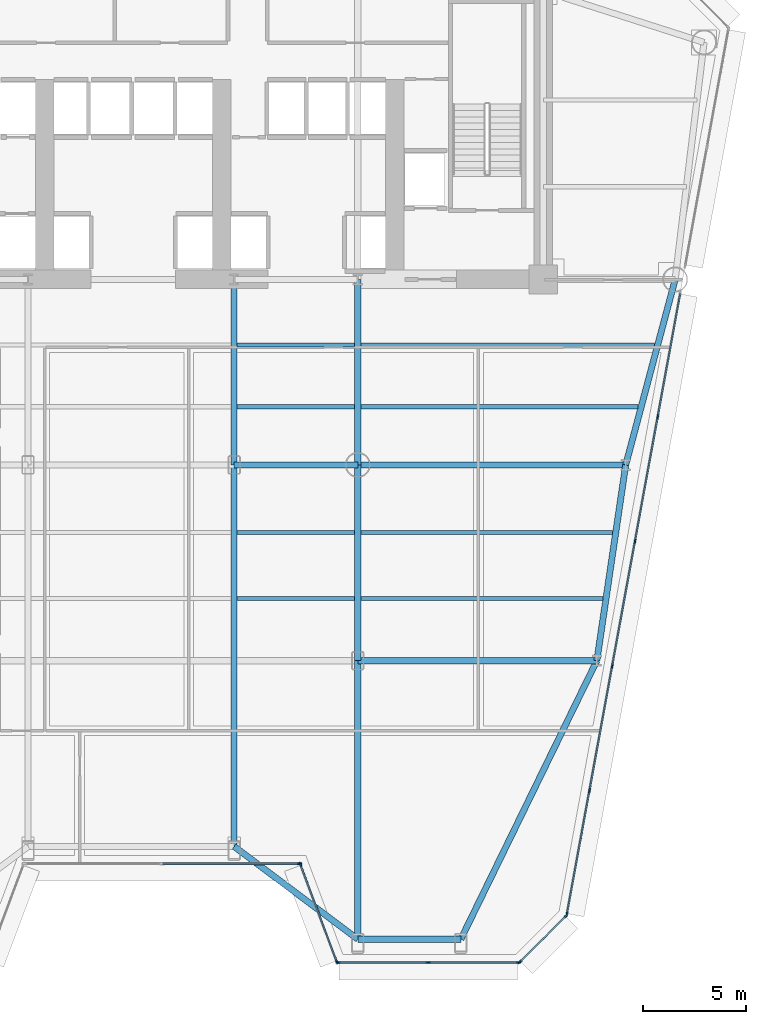
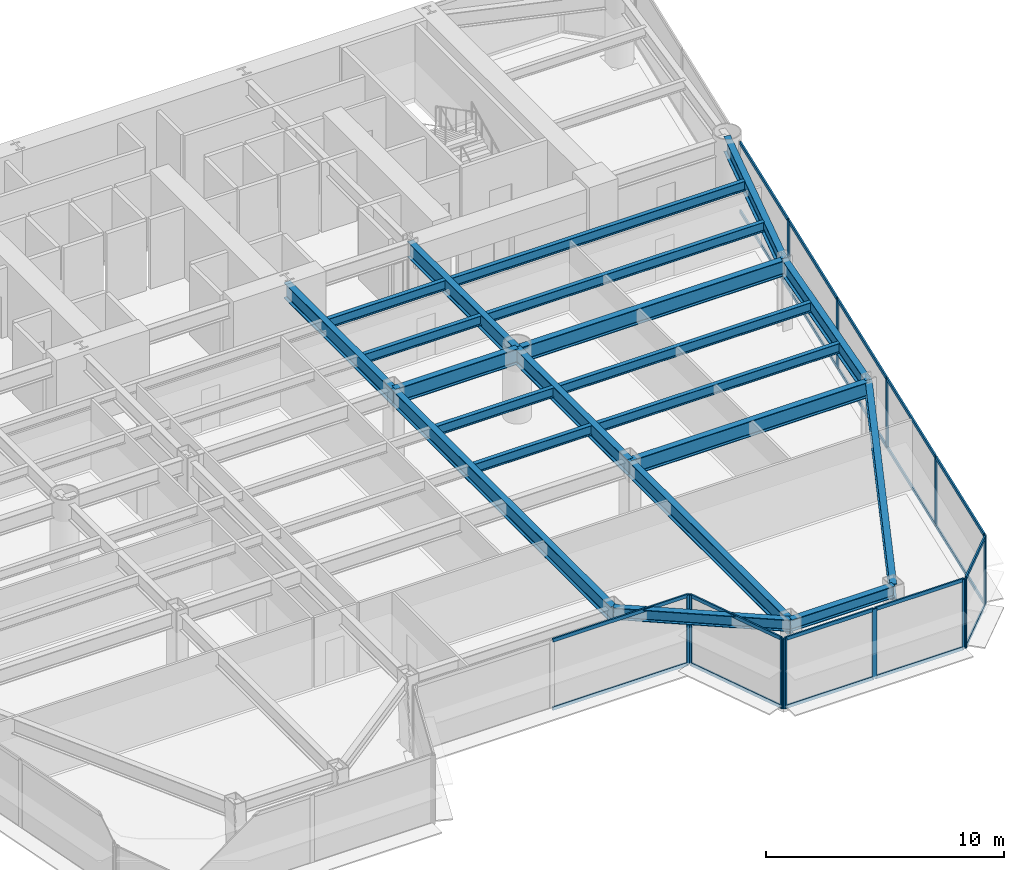
# One storey, part 4 of 14: 33 members, 21 beams, 5 elements without a shape of their own.
"""IFC4 building model written with IfcOpenShell, lengths in metres."""

from ifc_helpers import new_model, si_unit, direction, frame, origin, origin_2d, place, context, subcontext, project, spatial, rectangle, i_section, extrude, source, transform, mapped, material, layer, layer_set, material_profile, profile_set, type_object, element, aggregate, save


model = new_model("IFC4")

# Units and contexts
model_context = context("Model", 3, precision=1e-05, world=origin(), true_north=direction((0.0, 1.0)))
body_context = subcontext(model_context, "Body", "Model", "MODEL_VIEW")
ifc_project = project(units=[si_unit("LENGTHUNIT", "METRE"), si_unit("AREAUNIT", "SQUARE_METRE"), si_unit("VOLUMEUNIT", "CUBIC_METRE"), si_unit("PLANEANGLEUNIT", "RADIAN"), si_unit("MASSUNIT", "GRAM", prefix="KILO")], contexts=[model_context])

# Site, building, storey
site_placement = place(None, origin())
site = spatial("IfcSite", under=ifc_project, at=site_placement, CompositionType="ELEMENT")
building_placement = place(site_placement, origin())
building = spatial("IfcBuilding", under=site, at=building_placement, Name="Vaeldorn Concourse Tower", CompositionType="ELEMENT")
storey_placement = place(building_placement, frame((0.0, 0.0, 72.0)))
storey = spatial("IfcBuildingStorey", under=building, at=storey_placement, Name="L18", CompositionType="ELEMENT", Elevation=72.0)

# Beams
ifc_material_1 = material(Name="Steel S355", Category="steel")
ifc_material_profile_1 = material_profile(ifc_material_1, i_section(OverallWidth=0.300048828125, OverallDepth=0.800048828125, WebThickness=0.017578125, FlangeThickness=0.032958984375, FilletRadius=0.030029296875, at=origin_2d()), Name="HEB 800")
ifc_profile_set_1 = profile_set([ifc_material_profile_1], Name="Steel S355")
beam_type_1 = type_object("IfcBeamType", Name="BM-PG-HEB800", PredefinedType="BEAM", material=ifc_profile_set_1)
shared_shape_1 = source(origin(), body_context, "Body", "SweptSolid", [
    extrude(i_section(OverallWidth=0.300048828125, OverallDepth=0.800048828125, WebThickness=0.017578125, FlangeThickness=0.032958984375, FilletRadius=0.030029296875, at=origin_2d()), origin(), (0.0, 0.0, 1.0), 6.0),
])
beam_1_placement = place(storey_placement, frame((39.0, 27.5, 3.179931640625), z_axis=(1.0, 0.0, 0.0), x_axis=(0.0, 1.0, 0.0)))
element("IfcBeam", 1, at=beam_1_placement, inside=storey, type_object=beam_type_1, Name="Beam BM-L18-C-TW3-C-TW4", PredefinedType="BEAM", context=body_context, shape_type="MappedRepresentation", body=[
    mapped(shared_shape_1, transform((0.0, 0.0, 0.0), scale=1.0)),
])
shared_shape_2 = source(origin(), body_context, "Body", "SweptSolid", [
    extrude(i_section(OverallWidth=0.300048828125, OverallDepth=0.800048828125, WebThickness=0.017578125, FlangeThickness=0.032958984375, FilletRadius=0.030029296875, at=origin_2d()), origin(), (0.0, 0.0, 1.0), 9.0),
])
for number, where, z_axis, x_axis, name in (
    (2, (39.0, 27.5, 3.179931640625), (0.0, 1.0, 0.0), (-1.0, 0.0, 0.0), "Beam BM-L18-C-TW3-C-FC4"),
    (3, (45.0, 27.5, 3.179931640625), (0.0, 1.0, 0.0), (-1.0, 0.0, 0.0), "Beam BM-L18-C-TW4-C-FC5"),
):
    element("IfcBeam", number, at=place(storey_placement, frame(where, z_axis=z_axis, x_axis=x_axis)), inside=storey, type_object=beam_type_1, Name=name, PredefinedType="BEAM", context=body_context, shape_type="MappedRepresentation", body=[
        mapped(shared_shape_2, transform((0.0, 0.0, 0.0), scale=1.0)),
    ])
shared_shape_3 = source(origin(), body_context, "Body", "SweptSolid", [
    extrude(i_section(OverallWidth=0.300048828125, OverallDepth=0.800048828125, WebThickness=0.017578125, FlangeThickness=0.032958984375, FilletRadius=0.030029296875, at=origin_2d()), origin(), (0.0, 0.0, 1.0), 9.314453125),
])
beam_2_placement = place(storey_placement, frame((60.39990234375, 36.5, 3.179931640625), z_axis=(-0.257652862255, -0.966237549763, 0.0), x_axis=(0.966237549763, -0.257652862255, 0.0)))
element("IfcBeam", 4, at=beam_2_placement, inside=storey, type_object=beam_type_1, Name="Beam BM-L18-C-NE2-C-FLE1", PredefinedType="BEAM", context=body_context, shape_type="MappedRepresentation", body=[
    mapped(shared_shape_3, transform((0.0, 0.0, 0.0), scale=1.0)),
])
shared_shape_4 = source(origin(), body_context, "Body", "SweptSolid", [
    extrude(i_section(OverallWidth=0.300048828125, OverallDepth=0.800048828125, WebThickness=0.017578125, FlangeThickness=0.032958984375, FilletRadius=0.030029296875, at=origin_2d()), origin(), (0.0, 0.0, 1.0), 13.0),
])
beam_3_placement = place(storey_placement, frame((45.0, 27.5, 3.179931640625), z_axis=(1.0, 0.0, 0.0), x_axis=(0.0, 1.0, 0.0)))
element("IfcBeam", 5, at=beam_3_placement, inside=storey, type_object=beam_type_1, Name="Beam BM-L18-C-TW4-C-FLE1", PredefinedType="BEAM", context=body_context, shape_type="MappedRepresentation", body=[
    mapped(shared_shape_4, transform((0.0, 0.0, 0.0), scale=1.0)),
])
ifc_material_profile_2 = material_profile(ifc_material_1, i_section(OverallWidth=0.300048828125, OverallDepth=0.60009765625, WebThickness=0.015380859375, FlangeThickness=0.030029296875, FilletRadius=0.027099609375, at=origin_2d()), Name="HEB 600")
ifc_profile_set_2 = profile_set([ifc_material_profile_2], Name="Steel S355")
beam_type_2 = type_object("IfcBeamType", Name="BM-SP-HEB600", PredefinedType="SPANDREL", material=ifc_profile_set_2)
shared_shape_5 = source(origin(), body_context, "Body", "SweptSolid", [
    extrude(i_section(OverallWidth=0.300048828125, OverallDepth=0.60009765625, WebThickness=0.015380859375, FlangeThickness=0.030029296875, FilletRadius=0.027099609375, at=origin_2d()), origin(), (0.0, 0.0, 1.0), 5.0),
])
beam_4_placement = place(storey_placement, frame((45.0, 4.486083984375, 3.280029296875), z_axis=(1.0, 0.0, 0.0), x_axis=(0.0, 1.0, 0.0)))
element("IfcBeam", 6, at=beam_4_placement, inside=storey, type_object=beam_type_2, Name="Beam BM-L18-C-SF5-C-SF6", PredefinedType="SPANDREL", context=body_context, shape_type="MappedRepresentation", body=[
    mapped(shared_shape_5, transform((0.0, 0.0, 0.0), scale=1.0)),
])
shared_shape_6 = source(origin(), body_context, "Body", "SweptSolid", [
    extrude(i_section(OverallWidth=0.300048828125, OverallDepth=0.60009765625, WebThickness=0.015380859375, FlangeThickness=0.030029296875, FilletRadius=0.027099609375, at=origin_2d()), origin(), (0.0, 0.0, 1.0), 7.5),
])
beam_5_placement = place(storey_placement, frame((39.0, 8.986083984375, 3.280029296875), z_axis=(0.8, -0.6, 0.0), x_axis=(0.6, 0.8, 0.0)))
element("IfcBeam", 7, at=beam_5_placement, inside=storey, type_object=beam_type_2, Name="Beam BM-L18-C-SF4-C-SF5", PredefinedType="SPANDREL", context=body_context, shape_type="MappedRepresentation", body=[
    mapped(shared_shape_6, transform((0.0, 0.0, 0.0), scale=1.0)),
])
shared_shape_7 = source(origin(), body_context, "Body", "SweptSolid", [
    extrude(i_section(OverallWidth=0.300048828125, OverallDepth=0.800048828125, WebThickness=0.017578125, FlangeThickness=0.032958984375, FilletRadius=0.030029296875, at=origin_2d()), origin(), (0.0, 0.0, 1.0), 9.6025390625),
])
beam_6_placement = place(storey_placement, frame((58.0, 27.5, 3.179931640625), z_axis=(-0.145783835977, -0.989316467652, 0.0), x_axis=(0.989316467652, -0.145783835977, 0.0)))
element("IfcBeam", 8, at=beam_6_placement, inside=storey, type_object=beam_type_1, Name="Beam BM-L18-C-FLE1-C-FLE2", PredefinedType="BEAM", context=body_context, shape_type="MappedRepresentation", body=[
    mapped(shared_shape_7, transform((0.0, 0.0, 0.0), scale=1.0)),
])
shared_shape_8 = source(origin(), body_context, "Body", "SweptSolid", [
    extrude(i_section(OverallWidth=0.300048828125, OverallDepth=0.800048828125, WebThickness=0.017578125, FlangeThickness=0.032958984375, FilletRadius=0.030029296875, at=origin_2d()), origin(), (0.0, 0.0, 1.0), 11.60009765625),
])
beam_7_placement = place(storey_placement, frame((45.0, 18.0, 3.179931640625), z_axis=(1.0, 0.0, 0.0), x_axis=(0.0, 1.0, 0.0)))
element("IfcBeam", 9, at=beam_7_placement, inside=storey, type_object=beam_type_1, Name="Beam BM-L18-C-TW6-C-FLE2", PredefinedType="BEAM", context=body_context, shape_type="MappedRepresentation", body=[
    mapped(shared_shape_8, transform((0.0, 0.0, 0.0), scale=1.0)),
])
shared_shape_9 = source(origin(), body_context, "Body", "SweptSolid", [
    extrude(i_section(OverallWidth=0.300048828125, OverallDepth=0.800048828125, WebThickness=0.017578125, FlangeThickness=0.032958984375, FilletRadius=0.030029296875, at=origin_2d()), origin(), (0.0, 0.0, 1.0), 9.5),
])
beam_8_placement = place(storey_placement, frame((45.0, 18.0, 3.179931640625), z_axis=(0.0, 1.0, 0.0), x_axis=(-1.0, 0.0, 0.0)))
element("IfcBeam", 10, at=beam_8_placement, inside=storey, type_object=beam_type_1, Name="Beam BM-L18-C-TW6-C-TW4", PredefinedType="BEAM", context=body_context, shape_type="MappedRepresentation", body=[
    mapped(shared_shape_9, transform((0.0, 0.0, 0.0), scale=1.0)),
])
ifc_material_profile_3 = material_profile(ifc_material_1, i_section(OverallWidth=0.199951171875, OverallDepth=0.5, WebThickness=0.01025390625, FlangeThickness=0.01611328125, FilletRadius=0.02099609375, at=origin_2d()), Name="IPE 500")
ifc_profile_set_3 = profile_set([ifc_material_profile_3], Name="Steel S355")
beam_type_3 = type_object("IfcBeamType", Name="BM-JS-IPE500", PredefinedType="JOIST", material=ifc_profile_set_3)
shared_shape_10 = source(origin(), body_context, "Body", "SweptSolid", [
    extrude(i_section(OverallWidth=0.199951171875, OverallDepth=0.5, WebThickness=0.01025390625, FlangeThickness=0.01611328125, FilletRadius=0.02099609375, at=origin_2d()), origin(), (0.0, 0.0, 1.0), 5.7001953125),
])
for number, where, z_axis, x_axis, name in (
    (11, (39.14990234375, 21.02001953125, 3.330078125), (1.0, 0.0, 0.0), (0.0, 1.0, 0.0), "Beam JS-L18-E2-210"),
    (12, (39.14990234375, 24.219970703125, 3.330078125), (1.0, 0.0, 0.0), (0.0, 1.0, 0.0), "Beam JS-L18-E2-242"),
    (13, (39.14990234375, 30.320068359375, 3.330078125), (1.0, 0.0, 0.0), (0.0, 1.0, 0.0), "Beam JS-L18-E2-303"),
    (14, (39.14990234375, 33.320068359375, 3.330078125), (1.0, 0.0, 0.0), (0.0, 1.0, 0.0), "Beam JS-L18-E2-333"),
):
    element("IfcBeam", number, at=place(storey_placement, frame(where, z_axis=z_axis, x_axis=x_axis)), inside=storey, type_object=beam_type_3, Name=name, PredefinedType="JOIST", context=body_context, shape_type="MappedRepresentation", body=[
        mapped(shared_shape_10, transform((0.0, 0.0, 0.0), scale=1.0)),
    ])
shared_shape_11 = source(origin(), body_context, "Body", "SweptSolid", [
    extrude(i_section(OverallWidth=0.300048828125, OverallDepth=0.800048828125, WebThickness=0.017578125, FlangeThickness=0.032958984375, FilletRadius=0.030029296875, at=origin_2d()), origin(), (0.0, 0.0, 1.0), 15.03955078125),
])
beam_9_placement = place(storey_placement, frame((50.0, 4.486083984375, 3.179931640625), z_axis=(0.438850234471, 0.898560221524, 0.0), x_axis=(-0.898560221524, 0.438850234471, 0.0)))
element("IfcBeam", 15, at=beam_9_placement, inside=storey, type_object=beam_type_1, Name="Beam BM-L18-C-SF6-C-FLE2", PredefinedType="BEAM", context=body_context, shape_type="MappedRepresentation", body=[
    mapped(shared_shape_11, transform((0.0, 0.0, 0.0), scale=1.0)),
])
shared_shape_12 = source(origin(), body_context, "Body", "SweptSolid", [
    extrude(i_section(OverallWidth=0.300048828125, OverallDepth=0.800048828125, WebThickness=0.017578125, FlangeThickness=0.032958984375, FilletRadius=0.030029296875, at=origin_2d()), origin(), (0.0, 0.0, 1.0), 13.513916015625),
])
beam_10_placement = place(storey_placement, frame((45.0, 4.486083984375, 3.179931640625), z_axis=(0.0, 1.0, 0.0), x_axis=(-1.0, 0.0, 0.0)))
element("IfcBeam", 16, at=beam_10_placement, inside=storey, type_object=beam_type_1, Name="Beam BM-L18-C-SF5-C-TW6", PredefinedType="BEAM", context=body_context, shape_type="MappedRepresentation", body=[
    mapped(shared_shape_12, transform((0.0, 0.0, 0.0), scale=1.0)),
])
shared_shape_13 = source(origin(), body_context, "Body", "SweptSolid", [
    extrude(i_section(OverallWidth=0.300048828125, OverallDepth=0.800048828125, WebThickness=0.017578125, FlangeThickness=0.032958984375, FilletRadius=0.030029296875, at=origin_2d()), origin(), (0.0, 0.0, 1.0), 18.513916015625),
])
beam_11_placement = place(storey_placement, frame((39.0, 8.986083984375, 3.179931640625), z_axis=(0.0, 1.0, 0.0), x_axis=(-1.0, 0.0, 0.0)))
element("IfcBeam", 17, at=beam_11_placement, inside=storey, type_object=beam_type_1, Name="Beam BM-L18-C-SF4-C-TW3", PredefinedType="BEAM", context=body_context, shape_type="MappedRepresentation", body=[
    mapped(shared_shape_13, transform((0.0, 0.0, 0.0), scale=1.0)),
])
shared_shape_14 = source(origin(), body_context, "Body", "SweptSolid", [
    extrude(i_section(OverallWidth=0.199951171875, OverallDepth=0.5, WebThickness=0.01025390625, FlangeThickness=0.01611328125, FilletRadius=0.02099609375, at=origin_2d()), origin(), (0.0, 0.0, 1.0), 11.7451171875),
])
beam_12_placement = place(storey_placement, frame((45.14990234375, 21.02001953125, 3.330078125), z_axis=(1.0, 0.0, 0.0), x_axis=(0.0, 1.0, 0.0)))
element("IfcBeam", 18, at=beam_12_placement, inside=storey, type_object=beam_type_3, Name="Beam JS-L18-E1-210", PredefinedType="JOIST", context=body_context, shape_type="MappedRepresentation", body=[
    mapped(shared_shape_14, transform((0.0, 0.0, 0.0), scale=1.0)),
])
shared_shape_15 = source(origin(), body_context, "Body", "SweptSolid", [
    extrude(i_section(OverallWidth=0.199951171875, OverallDepth=0.5, WebThickness=0.01025390625, FlangeThickness=0.01611328125, FilletRadius=0.02099609375, at=origin_2d()), origin(), (0.0, 0.0, 1.0), 12.216796875),
])
beam_13_placement = place(storey_placement, frame((45.14990234375, 24.219970703125, 3.330078125), z_axis=(1.0, 0.0, 0.0), x_axis=(0.0, 1.0, 0.0)))
element("IfcBeam", 19, at=beam_13_placement, inside=storey, type_object=beam_type_3, Name="Beam JS-L18-E1-242", PredefinedType="JOIST", context=body_context, shape_type="MappedRepresentation", body=[
    mapped(shared_shape_15, transform((0.0, 0.0, 0.0), scale=1.0)),
])
shared_shape_16 = source(origin(), body_context, "Body", "SweptSolid", [
    extrude(i_section(OverallWidth=0.199951171875, OverallDepth=0.5, WebThickness=0.01025390625, FlangeThickness=0.01611328125, FilletRadius=0.02099609375, at=origin_2d()), origin(), (0.0, 0.0, 1.0), 13.4521484375),
])
beam_14_placement = place(storey_placement, frame((45.14990234375, 30.320068359375, 3.330078125), z_axis=(1.0, 0.0, 0.0), x_axis=(0.0, 1.0, 0.0)))
element("IfcBeam", 20, at=beam_14_placement, inside=storey, type_object=beam_type_3, Name="Beam JS-L18-E1-303", PredefinedType="JOIST", context=body_context, shape_type="MappedRepresentation", body=[
    mapped(shared_shape_16, transform((0.0, 0.0, 0.0), scale=1.0)),
])
shared_shape_17 = source(origin(), body_context, "Body", "SweptSolid", [
    extrude(i_section(OverallWidth=0.199951171875, OverallDepth=0.5, WebThickness=0.01025390625, FlangeThickness=0.01611328125, FilletRadius=0.02099609375, at=origin_2d()), origin(), (0.0, 0.0, 1.0), 14.252197265625),
])
beam_15_placement = place(storey_placement, frame((45.14990234375, 33.320068359375, 3.330078125), z_axis=(1.0, 0.0, 0.0), x_axis=(0.0, 1.0, 0.0)))
element("IfcBeam", 21, at=beam_15_placement, inside=storey, type_object=beam_type_3, Name="Beam JS-L18-E1-333", PredefinedType="JOIST", context=body_context, shape_type="MappedRepresentation", body=[
    mapped(shared_shape_17, transform((0.0, 0.0, 0.0), scale=1.0)),
])

# Curtain wall, members
ifc_material_2 = material(Name="Anodised Bronze Aluminium", Category="aluminium")
ifc_layer = layer(ifc_material_2, 0.219970703125)
ifc_layer_set = layer_set([ifc_layer], Name="Anodised Bronze Aluminium")
curtain_wall_type = type_object("IfcCurtainWallType", Name="CW-SYS-01", PredefinedType="NOTDEFINED", material=ifc_layer_set)
curtain_wall_1_placement = place(storey_placement, origin())
curtain_wall_1 = element("IfcCurtainWall", 22, at=curtain_wall_1_placement, inside=storey, type_object=curtain_wall_type, Name="Unitised Curtain Wall CW-L18-E03-1", PredefinedType="NOTDEFINED")
ifc_material_profile_4 = material_profile(ifc_material_2, rectangle(XDim=0.074951171875, YDim=0.179931640625, at=origin_2d()), Name="CWT 75x180")
ifc_profile_set_4 = profile_set([ifc_material_profile_4], Name="Anodised Bronze Aluminium")
member_type_1 = type_object("IfcMemberType", Name="CWT-BRONZE-180", PredefinedType="USERDEFINED", material=ifc_profile_set_4)
shared_shape_18 = source(origin(), body_context, "Body", "SweptSolid", [
    extrude(rectangle(XDim=0.074951171875, YDim=0.179931640625, at=origin_2d()), origin(), (0.0, 0.0, 1.0), 6.58740234375),
])
member_1_placement = place(storey_placement, frame((35.53759765625, 8.147216796875, 0.03759765625), z_axis=(1.0, 0.0, 0.0), x_axis=(0.0, 1.0, 0.0)))
member_1 = element("IfcMember", 23, at=member_1_placement, type_object=member_type_1, Name="CW-01 transom 2.1", ObjectType="TRANSOM", PredefinedType="USERDEFINED", context=body_context, shape_type="MappedRepresentation", body=[
    mapped(shared_shape_18, transform((0.0, 0.0, 0.0), scale=1.0)),
])
member_2_placement = place(storey_placement, frame((35.53759765625, 8.147216796875, 3.54248046875), z_axis=(1.0, 0.0, 0.0), x_axis=(0.0, 1.0, 0.0)))
member_2 = element("IfcMember", 24, at=member_2_placement, type_object=member_type_1, Name="CW-01 transom 2.2", ObjectType="TRANSOM", PredefinedType="USERDEFINED", context=body_context, shape_type="MappedRepresentation", body=[
    mapped(shared_shape_18, transform((0.0, 0.0, 0.0), scale=1.0)),
])

curtain_wall_2_placement = place(storey_placement, origin())
curtain_wall_2 = element("IfcCurtainWall", 25, at=curtain_wall_2_placement, inside=storey, type_object=curtain_wall_type, Name="Unitised Curtain Wall CW-L18-E04-1", PredefinedType="NOTDEFINED")
shared_shape_19 = source(origin(), body_context, "Body", "SweptSolid", [
    extrude(rectangle(XDim=0.074951171875, YDim=0.179931640625, at=origin_2d()), origin(), (0.0, 0.0, 1.0), 4.9765625),
])
member_3_placement = place(storey_placement, frame((42.226318359375, 8.076904296875, 0.03759765625), z_axis=(0.351112688987, -0.936333209724, 0.0), x_axis=(0.936333209724, 0.351112688987, 0.0)))
member_3 = element("IfcMember", 26, at=member_3_placement, type_object=member_type_1, Name="CW-01 transom 1.1", ObjectType="TRANSOM", PredefinedType="USERDEFINED", context=body_context, shape_type="MappedRepresentation", body=[
    mapped(shared_shape_19, transform((0.0, 0.0, 0.0), scale=1.0)),
])
member_4_placement = place(storey_placement, frame((42.226318359375, 8.076904296875, 3.54248046875), z_axis=(0.351112688987, -0.936333209724, 0.0), x_axis=(0.936333209724, 0.351112688987, 0.0)))
member_4 = element("IfcMember", 27, at=member_4_placement, type_object=member_type_1, Name="CW-01 transom 1.2", ObjectType="TRANSOM", PredefinedType="USERDEFINED", context=body_context, shape_type="MappedRepresentation", body=[
    mapped(shared_shape_19, transform((0.0, 0.0, 0.0), scale=1.0)),
])

# Member
ifc_material_profile_5 = material_profile(ifc_material_2, rectangle(XDim=0.074951171875, YDim=0.219970703125, at=origin_2d()), Name="CWM 75x220")
ifc_profile_set_5 = profile_set([ifc_material_profile_5], Name="Anodised Bronze Aluminium")
member_type_2 = type_object("IfcMemberType", Name="CWM-BRONZE-220", PredefinedType="MULLION", material=ifc_profile_set_5)
shared_shape_20 = source(origin(), body_context, "Body", "SweptSolid", [
    extrude(rectangle(XDim=0.074951171875, YDim=0.219970703125, at=origin_2d()), origin(), (0.0, 0.0, 1.0), 3.580078125),
])
member_5_placement = place(storey_placement, frame((42.16259765625, 8.147216796875, 0.0), z_axis=(0.0, 0.0, 1.0), x_axis=(0.0, 1.0, 0.0)))
member_5 = element("IfcMember", 28, at=member_5_placement, type_object=member_type_2, Name="CW-01 mullion 3", PredefinedType="MULLION", context=body_context, shape_type="MappedRepresentation", body=[
    mapped(shared_shape_20, transform((0.0, 0.0, 0.0), scale=1.0)),
])

aggregate(curtain_wall_1, [member_5, member_1, member_2])

member_6_placement = place(storey_placement, frame((42.213134765625, 8.112060546875, 0.0), z_axis=(0.0, 0.0, 1.0), x_axis=(0.936329177566, 0.351123441595, 0.0)))
member_6 = element("IfcMember", 29, at=member_6_placement, type_object=member_type_2, Name="CW-01 mullion 1", PredefinedType="MULLION", context=body_context, shape_type="MappedRepresentation", body=[
    mapped(shared_shape_20, transform((0.0, 0.0, 0.0), scale=1.0)),
])

member_7_placement = place(storey_placement, frame((43.98681640625, 3.38232421875, 0.0), z_axis=(0.0, 0.0, 1.0), x_axis=(0.936329177566, 0.351123441595, 0.0)))
member_7 = element("IfcMember", 30, at=member_7_placement, type_object=member_type_2, Name="CW-01 mullion 2", PredefinedType="MULLION", context=body_context, shape_type="MappedRepresentation", body=[
    mapped(shared_shape_20, transform((0.0, 0.0, 0.0), scale=1.0)),
])

aggregate(curtain_wall_2, [member_6, member_7, member_3, member_4])

# Curtain wall, members
curtain_wall_3_placement = place(storey_placement, origin())
curtain_wall_3 = element("IfcCurtainWall", 31, at=curtain_wall_3_placement, inside=storey, type_object=curtain_wall_type, Name="Unitised Curtain Wall CW-L18-E05-1", PredefinedType="NOTDEFINED")
member_8_placement = place(storey_placement, frame((44.03759765625, 3.34716796875, 0.0), z_axis=(0.0, 0.0, 1.0), x_axis=(0.0, 1.0, 0.0)))
member_8 = element("IfcMember", 32, at=member_8_placement, type_object=member_type_2, Name="CW-01 mullion 1", PredefinedType="MULLION", context=body_context, shape_type="MappedRepresentation", body=[
    mapped(shared_shape_20, transform((0.0, 0.0, 0.0), scale=1.0)),
])
member_9_placement = place(storey_placement, frame((48.418701171875, 3.34716796875, 0.0), z_axis=(0.0, 0.0, 1.0), x_axis=(0.0, 1.0, 0.0)))
member_9 = element("IfcMember", 33, at=member_9_placement, type_object=member_type_2, Name="CW-01 mullion 2", PredefinedType="MULLION", context=body_context, shape_type="MappedRepresentation", body=[
    mapped(shared_shape_20, transform((0.0, 0.0, 0.0), scale=1.0)),
])
member_10_placement = place(storey_placement, frame((52.7998046875, 3.34716796875, 0.0), z_axis=(0.0, 0.0, 1.0), x_axis=(0.0, 1.0, 0.0)))
member_10 = element("IfcMember", 34, at=member_10_placement, type_object=member_type_2, Name="CW-01 mullion 3", PredefinedType="MULLION", context=body_context, shape_type="MappedRepresentation", body=[
    mapped(shared_shape_20, transform((0.0, 0.0, 0.0), scale=1.0)),
])

curtain_wall_4_placement = place(storey_placement, origin())
curtain_wall_4 = element("IfcCurtainWall", 35, at=curtain_wall_4_placement, inside=storey, type_object=curtain_wall_type, Name="Unitised Curtain Wall CW-L18-E06-1", PredefinedType="NOTDEFINED")
member_11_placement = place(storey_placement, frame((52.86376953125, 3.37353515625, 0.0), z_axis=(0.0, 0.0, 1.0), x_axis=(-0.707106781187, 0.707106781187, 0.0)))
member_11 = element("IfcMember", 36, at=member_11_placement, type_object=member_type_2, Name="CW-01 mullion 1", PredefinedType="MULLION", context=body_context, shape_type="MappedRepresentation", body=[
    mapped(shared_shape_20, transform((0.0, 0.0, 0.0), scale=1.0)),
])
member_12_placement = place(storey_placement, frame((55.11083984375, 5.62060546875, 0.0), z_axis=(0.0, 0.0, 1.0), x_axis=(-0.707106781187, 0.707106781187, 0.0)))
member_12 = element("IfcMember", 37, at=member_12_placement, type_object=member_type_2, Name="CW-01 mullion 2", PredefinedType="MULLION", context=body_context, shape_type="MappedRepresentation", body=[
    mapped(shared_shape_20, transform((0.0, 0.0, 0.0), scale=1.0)),
])

curtain_wall_5_placement = place(storey_placement, origin())
curtain_wall_5 = element("IfcCurtainWall", 38, at=curtain_wall_5_placement, inside=storey, type_object=curtain_wall_type, Name="Unitised Curtain Wall CW-L18-E07-1", PredefinedType="NOTDEFINED")
member_13_placement = place(storey_placement, frame((55.14404296875, 5.68408203125, 0.0), z_axis=(0.0, 0.0, 1.0), x_axis=(-0.983729199794, 0.179657622921, 0.0)))
member_13 = element("IfcMember", 39, at=member_13_placement, type_object=member_type_2, Name="CW-01 mullion 1", PredefinedType="MULLION", context=body_context, shape_type="MappedRepresentation", body=[
    mapped(shared_shape_20, transform((0.0, 0.0, 0.0), scale=1.0)),
])
member_14_placement = place(storey_placement, frame((56.24169921875, 11.69384765625, 0.0), z_axis=(0.0, 0.0, 1.0), x_axis=(-0.983729199794, 0.179657622921, 0.0)))
member_14 = element("IfcMember", 40, at=member_14_placement, type_object=member_type_2, Name="CW-01 mullion 2", PredefinedType="MULLION", context=body_context, shape_type="MappedRepresentation", body=[
    mapped(shared_shape_20, transform((0.0, 0.0, 0.0), scale=1.0)),
])
member_15_placement = place(storey_placement, frame((57.345947265625, 17.740478515625, 0.0), z_axis=(0.0, 0.0, 1.0), x_axis=(-0.983729199794, 0.179657622921, 0.0)))
member_15 = element("IfcMember", 41, at=member_15_placement, type_object=member_type_2, Name="CW-01 mullion 3", PredefinedType="MULLION", context=body_context, shape_type="MappedRepresentation", body=[
    mapped(shared_shape_20, transform((0.0, 0.0, 0.0), scale=1.0)),
])
member_16_placement = place(storey_placement, frame((58.4501953125, 23.787109375, 0.0), z_axis=(0.0, 0.0, 1.0), x_axis=(-0.983729199794, 0.179657622921, 0.0)))
member_16 = element("IfcMember", 42, at=member_16_placement, type_object=member_type_2, Name="CW-01 mullion 4", PredefinedType="MULLION", context=body_context, shape_type="MappedRepresentation", body=[
    mapped(shared_shape_20, transform((0.0, 0.0, 0.0), scale=1.0)),
])
member_17_placement = place(storey_placement, frame((59.554443359375, 29.833740234375, 0.0), z_axis=(0.0, 0.0, 1.0), x_axis=(-0.983729199794, 0.179657622921, 0.0)))
member_17 = element("IfcMember", 43, at=member_17_placement, type_object=member_type_2, Name="CW-01 mullion 5", PredefinedType="MULLION", context=body_context, shape_type="MappedRepresentation", body=[
    mapped(shared_shape_20, transform((0.0, 0.0, 0.0), scale=1.0)),
])

# Member
shared_shape_21 = source(origin(), body_context, "Body", "SweptSolid", [
    extrude(rectangle(XDim=0.074951171875, YDim=0.179931640625, at=origin_2d()), origin(), (0.0, 0.0, 1.0), 3.1025390625),
])
member_18_placement = place(storey_placement, frame((52.890380859375, 3.400146484375, 0.03759765625), z_axis=(0.707106781187, 0.707106781187, 0.0), x_axis=(-0.707106781187, 0.707106781187, 0.0)))
member_18 = element("IfcMember", 44, at=member_18_placement, type_object=member_type_1, Name="CW-01 transom 1.1", ObjectType="TRANSOM", PredefinedType="USERDEFINED", context=body_context, shape_type="MappedRepresentation", body=[
    mapped(shared_shape_21, transform((0.0, 0.0, 0.0), scale=1.0)),
])

member_19_placement = place(storey_placement, frame((52.890380859375, 3.400146484375, 3.54248046875), z_axis=(0.707106781187, 0.707106781187, 0.0), x_axis=(-0.707106781187, 0.707106781187, 0.0)))
member_19 = element("IfcMember", 45, at=member_19_placement, type_object=member_type_1, Name="CW-01 transom 1.2", ObjectType="TRANSOM", PredefinedType="USERDEFINED", context=body_context, shape_type="MappedRepresentation", body=[
    mapped(shared_shape_21, transform((0.0, 0.0, 0.0), scale=1.0)),
])

aggregate(curtain_wall_4, [member_11, member_12, member_18, member_19])

shared_shape_22 = source(origin(), body_context, "Body", "SweptSolid", [
    extrude(rectangle(XDim=0.074951171875, YDim=0.179931640625, at=origin_2d()), origin(), (0.0, 0.0, 1.0), 4.30615234375),
])
member_20_placement = place(storey_placement, frame((44.074951171875, 3.34716796875, 0.03759765625), z_axis=(1.0, 0.0, 0.0), x_axis=(0.0, 1.0, 0.0)))
member_20 = element("IfcMember", 46, at=member_20_placement, type_object=member_type_1, Name="CW-01 transom 1.1", ObjectType="TRANSOM", PredefinedType="USERDEFINED", context=body_context, shape_type="MappedRepresentation", body=[
    mapped(shared_shape_22, transform((0.0, 0.0, 0.0), scale=1.0)),
])

member_21_placement = place(storey_placement, frame((44.074951171875, 3.34716796875, 3.54248046875), z_axis=(1.0, 0.0, 0.0), x_axis=(0.0, 1.0, 0.0)))
member_21 = element("IfcMember", 47, at=member_21_placement, type_object=member_type_1, Name="CW-01 transom 1.2", ObjectType="TRANSOM", PredefinedType="USERDEFINED", context=body_context, shape_type="MappedRepresentation", body=[
    mapped(shared_shape_22, transform((0.0, 0.0, 0.0), scale=1.0)),
])

member_22_placement = place(storey_placement, frame((48.4560546875, 3.34716796875, 0.03759765625), z_axis=(1.0, 0.0, 0.0), x_axis=(0.0, 1.0, 0.0)))
member_22 = element("IfcMember", 48, at=member_22_placement, type_object=member_type_1, Name="CW-01 transom 2.1", ObjectType="TRANSOM", PredefinedType="USERDEFINED", context=body_context, shape_type="MappedRepresentation", body=[
    mapped(shared_shape_22, transform((0.0, 0.0, 0.0), scale=1.0)),
])

member_23_placement = place(storey_placement, frame((48.4560546875, 3.34716796875, 3.54248046875), z_axis=(1.0, 0.0, 0.0), x_axis=(0.0, 1.0, 0.0)))
member_23 = element("IfcMember", 49, at=member_23_placement, type_object=member_type_1, Name="CW-01 transom 2.2", ObjectType="TRANSOM", PredefinedType="USERDEFINED", context=body_context, shape_type="MappedRepresentation", body=[
    mapped(shared_shape_22, transform((0.0, 0.0, 0.0), scale=1.0)),
])

aggregate(curtain_wall_3, [member_8, member_9, member_10, member_20, member_21, member_22, member_23])

shared_shape_23 = source(origin(), body_context, "Body", "SweptSolid", [
    extrude(rectangle(XDim=0.074951171875, YDim=0.179931640625, at=origin_2d()), origin(), (0.0, 0.0, 1.0), 6.0341796875),
])
member_24_placement = place(storey_placement, frame((55.15087890625, 5.720947265625, 0.03759765625), z_axis=(0.179640198064, 0.983732381921, 0.0), x_axis=(-0.983732381921, 0.179640198064, 0.0)))
member_24 = element("IfcMember", 50, at=member_24_placement, type_object=member_type_1, Name="CW-01 transom 1.1", ObjectType="TRANSOM", PredefinedType="USERDEFINED", context=body_context, shape_type="MappedRepresentation", body=[
    mapped(shared_shape_23, transform((0.0, 0.0, 0.0), scale=1.0)),
])

member_25_placement = place(storey_placement, frame((55.15087890625, 5.720947265625, 3.54248046875), z_axis=(0.179640198064, 0.983732381921, 0.0), x_axis=(-0.983732381921, 0.179640198064, 0.0)))
member_25 = element("IfcMember", 51, at=member_25_placement, type_object=member_type_1, Name="CW-01 transom 1.2", ObjectType="TRANSOM", PredefinedType="USERDEFINED", context=body_context, shape_type="MappedRepresentation", body=[
    mapped(shared_shape_23, transform((0.0, 0.0, 0.0), scale=1.0)),
])

member_26_placement = place(storey_placement, frame((59.561279296875, 29.87060546875, 0.03759765625), z_axis=(0.179640198064, 0.983732381921, 0.0), x_axis=(-0.983732381921, 0.179640198064, 0.0)))
member_26 = element("IfcMember", 52, at=member_26_placement, type_object=member_type_1, Name="CW-01 transom 5.1", ObjectType="TRANSOM", PredefinedType="USERDEFINED", context=body_context, shape_type="MappedRepresentation", body=[
    mapped(shared_shape_23, transform((0.0, 0.0, 0.0), scale=1.0)),
])

member_27_placement = place(storey_placement, frame((59.561279296875, 29.87060546875, 3.54248046875), z_axis=(0.179640198064, 0.983732381921, 0.0), x_axis=(-0.983732381921, 0.179640198064, 0.0)))
member_27 = element("IfcMember", 53, at=member_27_placement, type_object=member_type_1, Name="CW-01 transom 5.2", ObjectType="TRANSOM", PredefinedType="USERDEFINED", context=body_context, shape_type="MappedRepresentation", body=[
    mapped(shared_shape_23, transform((0.0, 0.0, 0.0), scale=1.0)),
])

shared_shape_24 = source(origin(), body_context, "Body", "SweptSolid", [
    extrude(rectangle(XDim=0.074951171875, YDim=0.179931640625, at=origin_2d()), origin(), (0.0, 0.0, 1.0), 6.07177734375),
])
member_28_placement = place(storey_placement, frame((56.248291015625, 11.730712890625, 0.03759765625), z_axis=(0.179656765356, 0.983729356409, 0.0), x_axis=(-0.983729356409, 0.179656765356, 0.0)))
member_28 = element("IfcMember", 54, at=member_28_placement, type_object=member_type_1, Name="CW-01 transom 2.1", ObjectType="TRANSOM", PredefinedType="USERDEFINED", context=body_context, shape_type="MappedRepresentation", body=[
    mapped(shared_shape_24, transform((0.0, 0.0, 0.0), scale=1.0)),
])

member_29_placement = place(storey_placement, frame((56.248291015625, 11.730712890625, 3.54248046875), z_axis=(0.179656765356, 0.983729356409, 0.0), x_axis=(-0.983729356409, 0.179656765356, 0.0)))
member_29 = element("IfcMember", 55, at=member_29_placement, type_object=member_type_1, Name="CW-01 transom 2.2", ObjectType="TRANSOM", PredefinedType="USERDEFINED", context=body_context, shape_type="MappedRepresentation", body=[
    mapped(shared_shape_24, transform((0.0, 0.0, 0.0), scale=1.0)),
])

member_30_placement = place(storey_placement, frame((57.3525390625, 17.77734375, 0.03759765625), z_axis=(0.179656765356, 0.983729356409, 0.0), x_axis=(-0.983729356409, 0.179656765356, 0.0)))
member_30 = element("IfcMember", 56, at=member_30_placement, type_object=member_type_1, Name="CW-01 transom 3.1", ObjectType="TRANSOM", PredefinedType="USERDEFINED", context=body_context, shape_type="MappedRepresentation", body=[
    mapped(shared_shape_24, transform((0.0, 0.0, 0.0), scale=1.0)),
])

member_31_placement = place(storey_placement, frame((57.3525390625, 17.77734375, 3.54248046875), z_axis=(0.179656765356, 0.983729356409, 0.0), x_axis=(-0.983729356409, 0.179656765356, 0.0)))
member_31 = element("IfcMember", 57, at=member_31_placement, type_object=member_type_1, Name="CW-01 transom 3.2", ObjectType="TRANSOM", PredefinedType="USERDEFINED", context=body_context, shape_type="MappedRepresentation", body=[
    mapped(shared_shape_24, transform((0.0, 0.0, 0.0), scale=1.0)),
])

member_32_placement = place(storey_placement, frame((58.45703125, 23.823974609375, 0.03759765625), z_axis=(0.179656765356, 0.983729356409, 0.0), x_axis=(-0.983729356409, 0.179656765356, 0.0)))
member_32 = element("IfcMember", 58, at=member_32_placement, type_object=member_type_1, Name="CW-01 transom 4.1", ObjectType="TRANSOM", PredefinedType="USERDEFINED", context=body_context, shape_type="MappedRepresentation", body=[
    mapped(shared_shape_24, transform((0.0, 0.0, 0.0), scale=1.0)),
])

member_33_placement = place(storey_placement, frame((58.45703125, 23.823974609375, 3.54248046875), z_axis=(0.179656765356, 0.983729356409, 0.0), x_axis=(-0.983729356409, 0.179656765356, 0.0)))
member_33 = element("IfcMember", 59, at=member_33_placement, type_object=member_type_1, Name="CW-01 transom 4.2", ObjectType="TRANSOM", PredefinedType="USERDEFINED", context=body_context, shape_type="MappedRepresentation", body=[
    mapped(shared_shape_24, transform((0.0, 0.0, 0.0), scale=1.0)),
])

aggregate(curtain_wall_5, [member_13, member_14, member_15, member_16, member_17, member_24, member_25, member_28, member_29, member_30, member_31, member_32, member_33, member_26, member_27])

save(model, "model.ifc")
